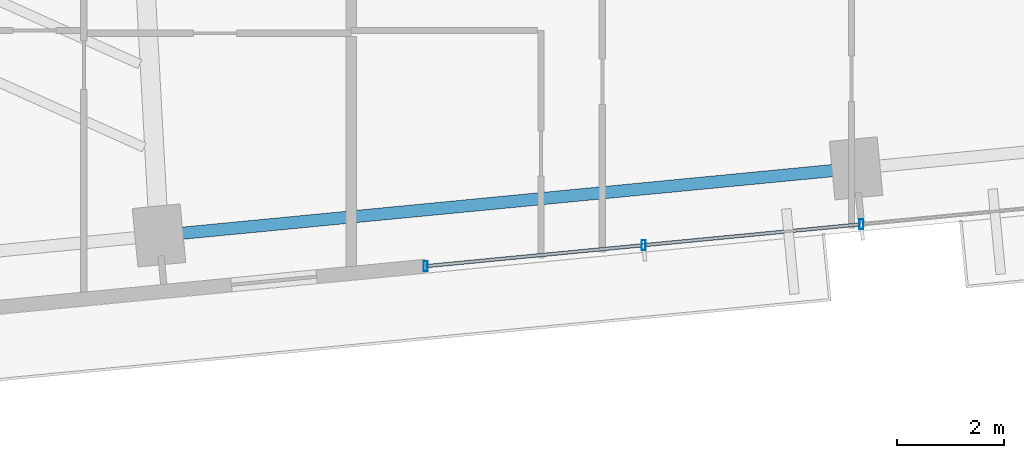
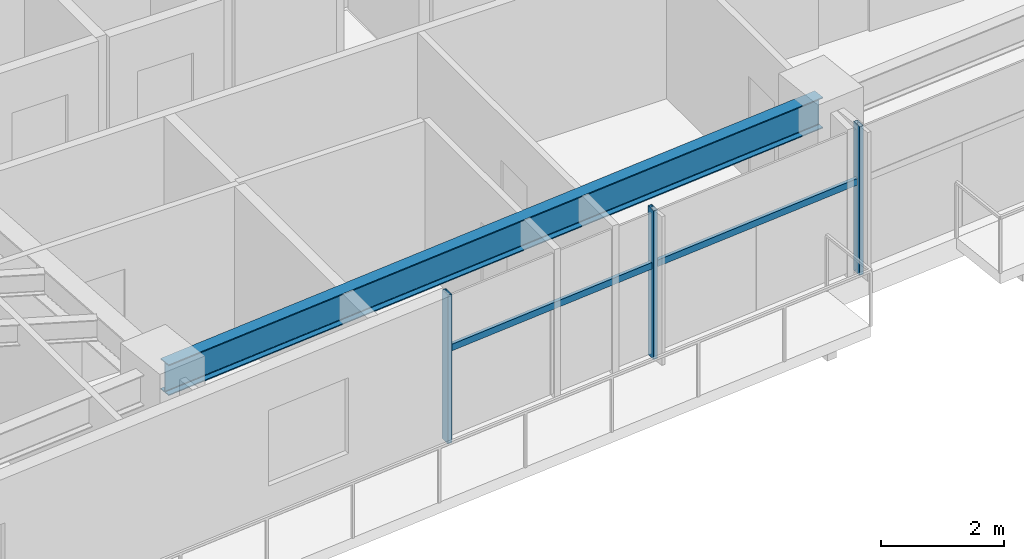
# One storey, part 6 of 25: 5 members, 1 beam, 1 element without a shape of its own.
"""IFC4 building model written with IfcOpenShell, lengths in metres."""

from ifc_helpers import new_model, si_unit, direction, frame, origin, origin_2d, place, context, subcontext, project, spatial, hollow_rectangle, i_section, extrude, source, transform, mapped, material, material_profile, profile_set, type_object, type_shapes, element, aggregate, save


model = new_model("IFC4")

# Units and contexts
model_context = context("Model", 3, precision=1e-05, world=origin(), true_north=direction((0.0, 1.0)))
body_context = subcontext(model_context, "Body", "Model", "MODEL_VIEW")
ifc_project = project(units=[si_unit("LENGTHUNIT", "METRE"), si_unit("AREAUNIT", "SQUARE_METRE"), si_unit("VOLUMEUNIT", "CUBIC_METRE"), si_unit("PLANEANGLEUNIT", "RADIAN"), si_unit("MASSUNIT", "GRAM", prefix="KILO")], contexts=[model_context])

# Site, building, storey
site_placement = place(None, origin())
site = spatial("IfcSite", under=ifc_project, at=site_placement, CompositionType="ELEMENT")
building_placement = place(site_placement, origin())
building = spatial("IfcBuilding", under=site, at=building_placement, Name="Astriad Promenade Condominiums", CompositionType="ELEMENT")
storey_placement = place(building_placement, frame((0.0, 0.0, 77.800048828125)))
storey = spatial("IfcBuildingStorey", under=building, at=storey_placement, Name="L21", CompositionType="ELEMENT", Elevation=77.800048828125)

# Beam
ifc_material_1 = material(Name="Steel ASTM A992 Grade 50", Category="steel")
ifc_material_profile_1 = material_profile(ifc_material_1, i_section(OverallWidth=0.22900390625, OverallDepth=0.612060546875, WebThickness=0.011962890625, FlangeThickness=0.01953125, FilletRadius=0.017822265625, at=origin_2d()), Name="W24X84")
ifc_profile_set_1 = profile_set([ifc_material_profile_1], Name="Steel ASTM A992 Grade 50")
beam_type = type_object("IfcBeamType", Name="STEEL SPANDREL BEAM W24X84", PredefinedType="SPANDREL", material=ifc_profile_set_1)
shared_shape_1 = source(origin(), body_context, "Body", "SweptSolid", [
    extrude(i_section(OverallWidth=0.22900390625, OverallDepth=0.612060546875, WebThickness=0.011962890625, FlangeThickness=0.01953125, FilletRadius=0.017822265625, at=origin_2d()), origin(), (0.0, 0.0, 1.0), 13.020263671875),
])
type_shapes(beam_type, [shared_shape_1])
beam_placement = place(storey_placement, frame((27.04541015625, 6.268798828125, 2.6337890625), z_axis=(0.995395311238, 0.095854965264, 0.0), x_axis=(-0.095854965264, 0.995395311238, 0.0)))
element("IfcBeam", 1, at=beam_placement, inside=storey, type_object=beam_type, Name="Perimeter Spandrel Beam SP-S2-L21", PredefinedType="SPANDREL", context=body_context, shape_type="MappedRepresentation", body=[
    mapped(shared_shape_1, transform((0.0, 0.0, 0.0), scale=1.0)),
])

# Curtain wall, members
ifc_material_2 = material(Name="Anodised aluminium Black Dark Glass Unitised", Category="aluminium")
curtain_wall_type = type_object("IfcCurtainWallType", Name="CW-B2-DARK", PredefinedType="USERDEFINED", material=ifc_material_2)
curtain_wall_placement = place(storey_placement, origin())
curtain_wall = element("IfcCurtainWall", 2, at=curtain_wall_placement, inside=storey, type_object=curtain_wall_type, Name="CW-L21-S", ObjectType="UNITISED_CURTAIN_WALL", PredefinedType="USERDEFINED")
ifc_material_3 = material(Name="Anodised aluminium 6063-T6 Black", Category="aluminium")
ifc_material_profile_2 = material_profile(ifc_material_3, hollow_rectangle(XDim=0.074951171875, YDim=0.18505859375, WallThickness=0.00439453125, at=origin_2d()), Name="ALU-MUL-75X185")
ifc_profile_set_2 = profile_set([ifc_material_profile_2], Name="Anodised aluminium 6063-T6 Black")
member_type_1 = type_object("IfcMemberType", Name="MUL-ALU-MUL-75X185", PredefinedType="MULLION", material=ifc_profile_set_2)
shared_shape_2 = source(origin(), body_context, "Body", "SweptSolid", [
    extrude(hollow_rectangle(XDim=0.074951171875, YDim=0.18505859375, WallThickness=0.00439453125, at=origin_2d()), origin(), (0.0, 0.0, 1.0), 2.93994140625),
])
type_shapes(member_type_1, [shared_shape_2])
member_1_placement = place(storey_placement, frame((40.14599609375, 6.475341796875, 0.0), z_axis=(0.0, 0.0, 1.0), x_axis=(1.0, 0.0, 0.0)))
member_1 = element("IfcMember", 3, at=member_1_placement, type_object=member_type_1, Name="CW-L21-S-MUL-02", PredefinedType="MULLION", context=body_context, shape_type="MappedRepresentation", body=[
    mapped(shared_shape_2, transform((0.0, 0.0, 0.0), scale=1.0)),
])
member_2_placement = place(storey_placement, frame((36.06982421875, 6.0830078125, 0.0), z_axis=(0.0, 0.0, 1.0), x_axis=(1.0, 0.0, 0.0)))
member_2 = element("IfcMember", 4, at=member_2_placement, type_object=member_type_1, Name="CW-L21-S-MUL-03", PredefinedType="MULLION", context=body_context, shape_type="MappedRepresentation", body=[
    mapped(shared_shape_2, transform((0.0, 0.0, 0.0), scale=1.0)),
])
member_3_placement = place(storey_placement, frame((31.99365234375, 5.6904296875, 0.0), z_axis=(0.0, 0.0, 1.0), x_axis=(1.0, 0.0, 0.0)))
member_3 = element("IfcMember", 5, at=member_3_placement, type_object=member_type_1, Name="CW-L21-S-MUL-04", PredefinedType="MULLION", context=body_context, shape_type="MappedRepresentation", body=[
    mapped(shared_shape_2, transform((0.0, 0.0, 0.0), scale=1.0)),
])
ifc_material_profile_3 = material_profile(ifc_material_3, hollow_rectangle(XDim=0.06494140625, YDim=0.1298828125, WallThickness=0.00390625, at=origin_2d()), Name="ALU-TRN-65X130")
ifc_profile_set_3 = profile_set([ifc_material_profile_3], Name="Anodised aluminium 6063-T6 Black")
member_type_2 = type_object("IfcMemberType", Name="TRN-ALU-TRN-65X130", PredefinedType="USERDEFINED", material=ifc_profile_set_3)
shared_shape_3 = source(origin(), body_context, "Body", "SweptSolid", [
    extrude(hollow_rectangle(XDim=0.06494140625, YDim=0.1298828125, WallThickness=0.00390625, at=origin_2d()), origin(), (0.0, 0.0, 1.0), 4.094970703125),
])
type_shapes(member_type_2, [shared_shape_3])
member_4_placement = place(storey_placement, frame((40.14599609375, 6.475341796875, 1.82275390625), z_axis=(-0.995399849002, -0.095807831657, 0.0), x_axis=(0.095807831657, -0.995399849002, 0.0)))
member_4 = element("IfcMember", 6, at=member_4_placement, type_object=member_type_2, Name="CW-L21-S-TRN-02-0", ObjectType="TRANSOM", PredefinedType="USERDEFINED", context=body_context, shape_type="MappedRepresentation", body=[
    mapped(shared_shape_3, transform((0.0, 0.0, 0.0), scale=1.0)),
])
member_5_placement = place(storey_placement, frame((36.06982421875, 6.0830078125, 1.82275390625), z_axis=(-0.995394161585, -0.09586690296, 0.0), x_axis=(0.09586690296, -0.995394161585, 0.0)))
member_5 = element("IfcMember", 7, at=member_5_placement, type_object=member_type_2, Name="CW-L21-S-TRN-03-0", ObjectType="TRANSOM", PredefinedType="USERDEFINED", context=body_context, shape_type="MappedRepresentation", body=[
    mapped(shared_shape_3, transform((0.0, 0.0, 0.0), scale=1.0)),
])
aggregate(curtain_wall, [member_1, member_2, member_3, member_4, member_5])

save(model, "model.ifc")
